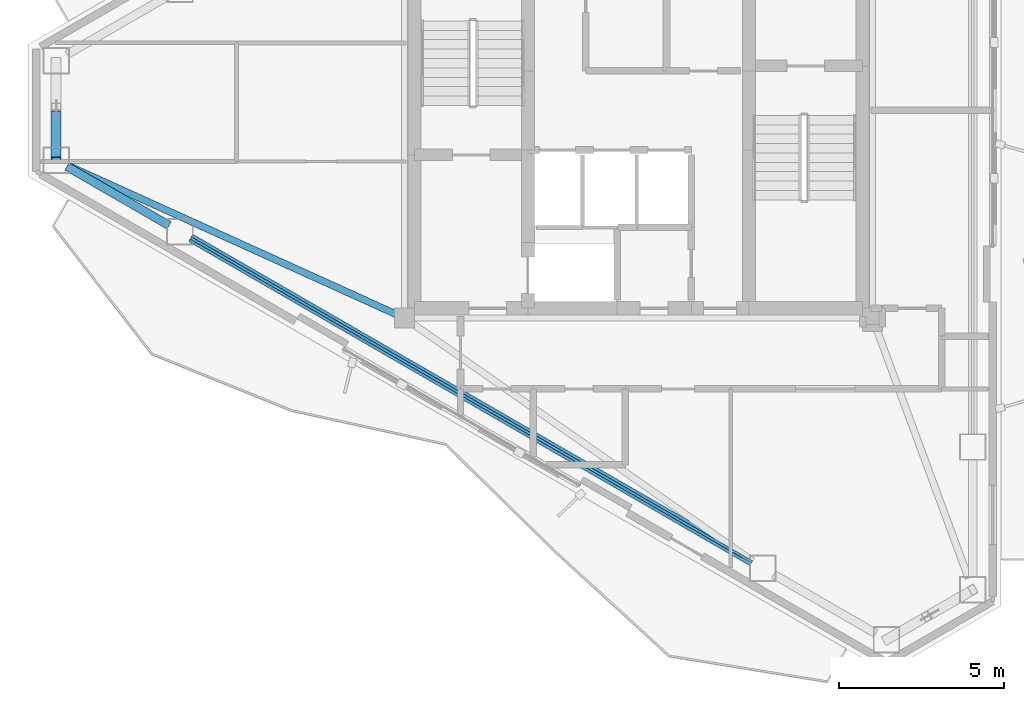
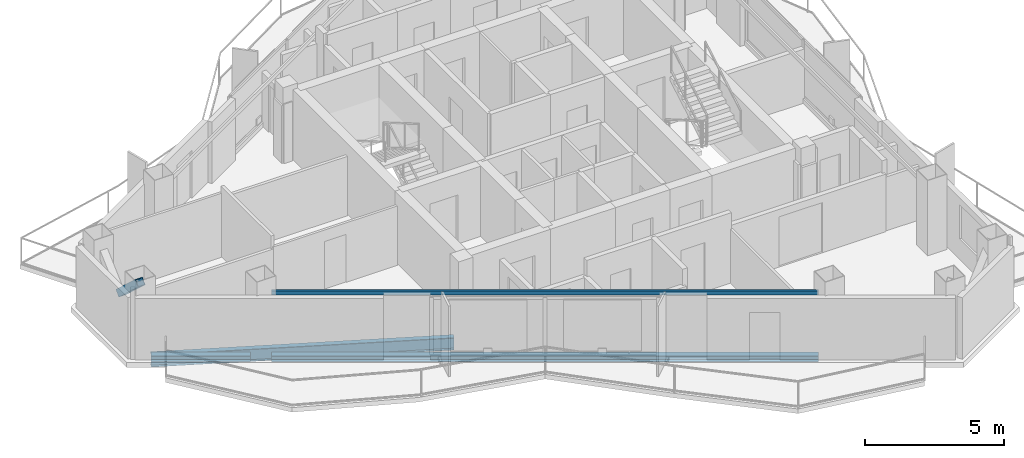
# One storey, part 3 of 18: 4 beams, 1 member.
"""IFC4 building model written with IfcOpenShell, lengths in metres."""

from ifc_helpers import new_model, si_unit, direction, frame, origin, origin_2d, place, context, subcontext, project, spatial, hollow_rectangle, i_section, extrude, material, material_profile, profile_set, type_object, element, save


model = new_model("IFC4")

# Units and contexts
model_context = context("Model", 3, precision=1e-05, world=origin(), true_north=direction((0.0, 1.0)))
body_context = subcontext(model_context, "Body", "Model", "MODEL_VIEW")
ifc_project = project(units=[si_unit("LENGTHUNIT", "METRE"), si_unit("AREAUNIT", "SQUARE_METRE"), si_unit("VOLUMEUNIT", "CUBIC_METRE"), si_unit("PLANEANGLEUNIT", "RADIAN"), si_unit("MASSUNIT", "GRAM", prefix="KILO")], contexts=[model_context])

# Site, building, storey
site_placement = place(None, origin())
site = spatial("IfcSite", under=ifc_project, at=site_placement, CompositionType="ELEMENT")
building_placement = place(site_placement, origin())
building = spatial("IfcBuilding", under=site, at=building_placement, Name="Mersakhor Tower and Convention Hall", CompositionType="ELEMENT")
storey_placement = place(building_placement, frame((0.0, 0.0, 236.39990234375)))
storey = spatial("IfcBuildingStorey", under=building, at=storey_placement, Name="L66", CompositionType="ELEMENT", Elevation=236.39990234375)

# Beams
ifc_material_1 = material(Name="Steel S355", Category="steel")
ifc_material_profile_1 = material_profile(ifc_material_1, i_section(OverallWidth=0.2099609375, OverallDepth=0.53662109375, WebThickness=0.0107421875, FlangeThickness=0.017333984375, at=origin_2d()), Name="UB 533x210x101")
ifc_profile_set_1 = profile_set([ifc_material_profile_1], Name="Steel S355")
beam_type_1 = type_object("IfcBeamType", Name="BM-FB-533", PredefinedType="BEAM", material=ifc_profile_set_1)
beam_1_placement = place(storey_placement, frame((21.64501953125, 20.565673828125, -0.48828125), z_axis=(-0.910860191929, 0.412715047895, 0.0), x_axis=(-0.412715047895, -0.910860191929, 0.0)))
element("IfcBeam", 1, at=beam_1_placement, inside=storey, type_object=beam_type_1, Name="L66 Primary Floor Girder FG-6", PredefinedType="BEAM", context=body_context, shape_type="SweptSolid", body=[
    extrude(i_section(OverallWidth=0.2099609375, OverallDepth=0.53662109375, WebThickness=0.0107421875, FlangeThickness=0.017333984375, at=origin_2d()), origin(), (0.0, 0.0, 1.0), 10.9423828125),
])
ifc_material_2 = material(Name="Steel S355", Category="steel")
ifc_material_profile_2 = material_profile(ifc_material_2, hollow_rectangle(XDim=0.080078125, YDim=0.179931640625, WallThickness=0.008056640625, at=origin_2d()), Name="RHS 180x80x8")
ifc_profile_set_2 = profile_set([ifc_material_profile_2], Name="Steel S355")
beam_type_2 = type_object("IfcBeamType", Name="BM-GRT-RHS180", PredefinedType="USERDEFINED", material=ifc_profile_set_2)
beam_2_placement = place(storey_placement, frame((32.4423828125, 13.050537109375, 2.47998046875), z_axis=(-0.866021610626, 0.500006569886, 0.0), x_axis=(-0.500006569886, -0.866021610626, 0.0)))
element("IfcBeam", 2, at=beam_2_placement, inside=storey, type_object=beam_type_2, Name="L66 Facade Support Girt GRT-F3", ObjectType="GIRT", PredefinedType="USERDEFINED", context=body_context, shape_type="SweptSolid", body=[
    extrude(hollow_rectangle(XDim=0.080078125, YDim=0.179931640625, WallThickness=0.008056640625, at=origin_2d()), origin(), (0.0, 0.0, 1.0), 19.661865234375),
])
ifc_material_3 = material(Name="Steel S355", Category="steel")
ifc_material_profile_3 = material_profile(ifc_material_3, i_section(OverallWidth=0.25634765625, OverallDepth=0.26025390625, WebThickness=0.01025390625, FlangeThickness=0.017333984375, at=origin_2d()), Name="UC 254x254x89")
ifc_profile_set_3 = profile_set([ifc_material_profile_3], Name="Steel S355")
beam_type_3 = type_object("IfcBeamType", Name="BM-SPD-UC254", PredefinedType="SPANDREL", material=ifc_profile_set_3)
beam_3_placement = place(storey_placement, frame((32.4423828125, 13.050537109375, -0.35009765625), z_axis=(-0.866021610626, 0.500006569886, 0.0), x_axis=(-0.500006569886, -0.866021610626, 0.0)))
element("IfcBeam", 3, at=beam_3_placement, inside=storey, type_object=beam_type_3, Name="L66 Perimeter Spandrel Beam SPB-10", PredefinedType="SPANDREL", context=body_context, shape_type="SweptSolid", body=[
    extrude(i_section(OverallWidth=0.25634765625, OverallDepth=0.26025390625, WebThickness=0.01025390625, FlangeThickness=0.017333984375, at=origin_2d()), origin(), (0.0, 0.0, 1.0), 19.661865234375),
])
beam_4_placement = place(storey_placement, frame((14.756591796875, 23.261474609375, -0.35009765625), z_axis=(-0.866032030752, 0.499988521579, 0.0), x_axis=(-0.499988521579, -0.866032030752, 0.0)))
element("IfcBeam", 4, at=beam_4_placement, inside=storey, type_object=beam_type_3, Name="L66 Perimeter Spandrel Beam SPB-11", PredefinedType="SPANDREL", context=body_context, shape_type="SweptSolid", body=[
    extrude(i_section(OverallWidth=0.25634765625, OverallDepth=0.26025390625, WebThickness=0.01025390625, FlangeThickness=0.017333984375, at=origin_2d()), origin(), (0.0, 0.0, 1.0), 3.57421875),
])

# Member
ifc_material_4 = material(Name="Steel S355", Category="steel")
ifc_material_profile_4 = material_profile(ifc_material_4, hollow_rectangle(XDim=0.300048828125, YDim=0.300048828125, WallThickness=0.01611328125, at=origin_2d()), Name="SHS 300x300x16")
ifc_profile_set_4 = profile_set([ifc_material_profile_4], Name="Steel S355")
member_type = type_object("IfcMemberType", Name="MB-BRC-SHS300", PredefinedType="BRACE", material=ifc_profile_set_4)
member_placement = place(storey_placement, frame((11.33203125, 26.63330078125, 1.6474609375), z_axis=(0.0, -0.735997778537, 0.676983951057), x_axis=(1.0, 0.0, 0.0)))
element("IfcMember", 5, at=member_placement, inside=storey, type_object=member_type, Name="L66 Chamfer Braced Frame Diagonal CB-3B Upper Half", PredefinedType="BRACE", context=body_context, shape_type="SweptSolid", body=[
    extrude(hollow_rectangle(XDim=0.300048828125, YDim=0.300048828125, WallThickness=0.01611328125, at=origin_2d()), origin(), (0.0, 0.0, 1.0), 1.894775390625),
])

save(model, "model.ifc")
